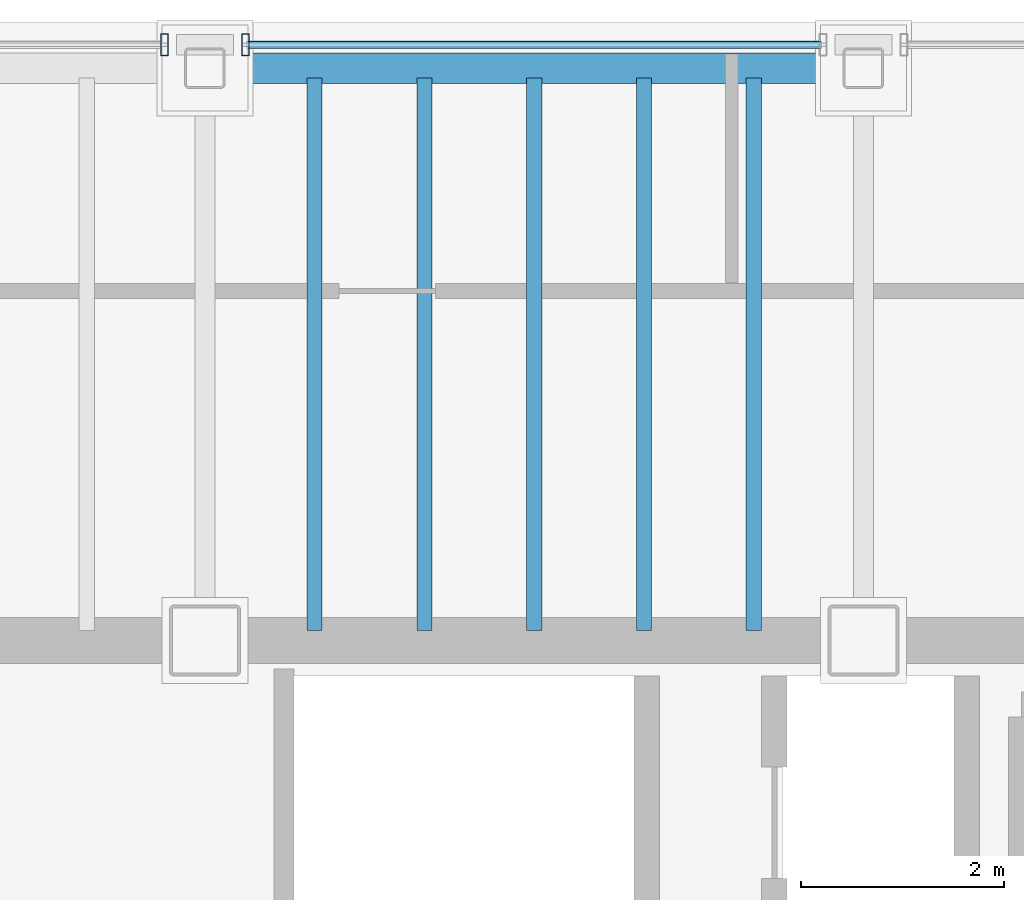
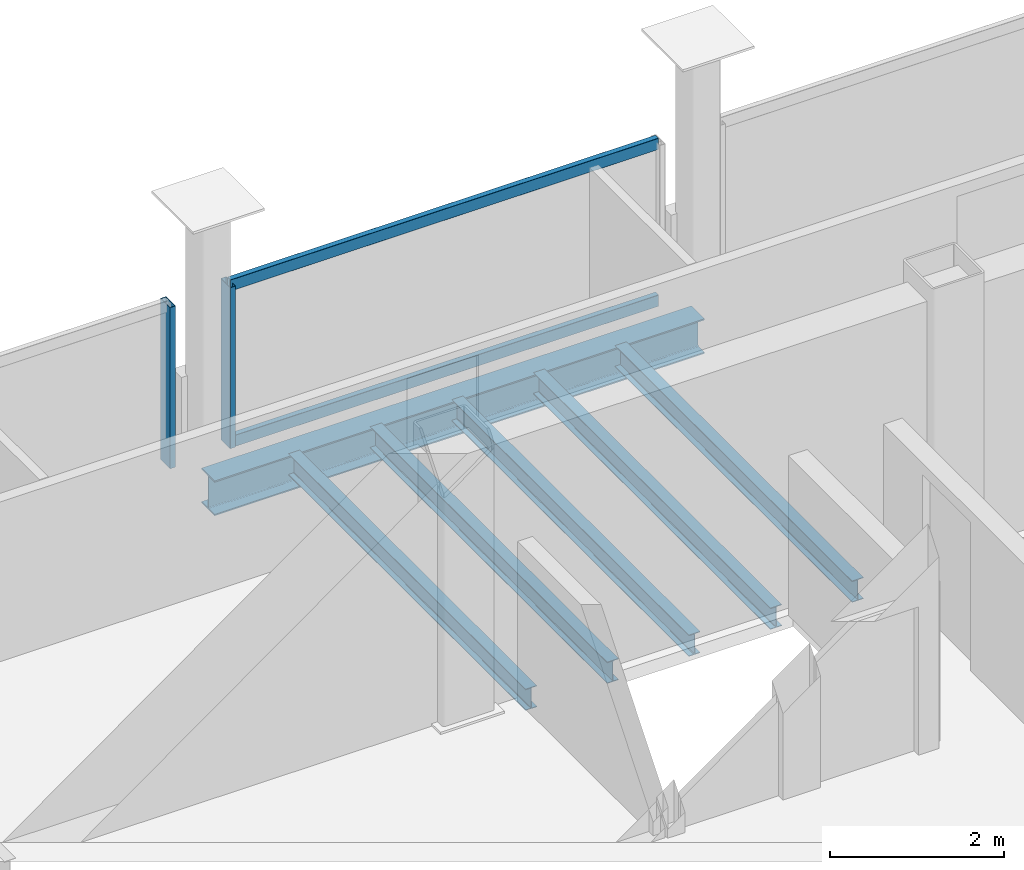
# One storey, part 9 of 16: 6 beams, 4 members, 2 elements without a shape of their own.
"""IFC4 building model written with IfcOpenShell, lengths in metres."""

from ifc_helpers import new_model, si_unit, direction, frame, origin, origin_2d, place, context, subcontext, project, spatial, hollow_rectangle, i_section, extrude, material, material_profile, profile_set, type_object, element, aggregate, save


model = new_model("IFC4")

# Units and contexts
model_context = context("Model", 3, precision=1e-05, world=origin(), true_north=direction((0.0, 1.0)))
body_context = subcontext(model_context, "Body", "Model", "MODEL_VIEW")
ifc_project = project(units=[si_unit("LENGTHUNIT", "METRE"), si_unit("AREAUNIT", "SQUARE_METRE"), si_unit("VOLUMEUNIT", "CUBIC_METRE"), si_unit("PLANEANGLEUNIT", "RADIAN"), si_unit("MASSUNIT", "GRAM", prefix="KILO")], contexts=[model_context])

# Site, building, storey
site_placement = place(None, origin())
site = spatial("IfcSite", under=ifc_project, at=site_placement, CompositionType="ELEMENT")
building_placement = place(site_placement, origin())
building = spatial("IfcBuilding", under=site, at=building_placement, Name="Noeulbin Bourse Tower", CompositionType="ELEMENT")
storey_placement = place(building_placement, frame((0.0, 0.0, 277.39990234375)))
storey = spatial("IfcBuildingStorey", under=building, at=storey_placement, Name="L69", CompositionType="ELEMENT", Elevation=277.39990234375)

# Beams
ifc_material_1 = material(Name="Steel S355", Category="steel")
ifc_material_profile_1 = material_profile(ifc_material_1, i_section(OverallWidth=0.14990234375, OverallDepth=0.300048828125, WebThickness=0.006591796875, FlangeThickness=0.009033203125, FilletRadius=0.012939453125, at=origin_2d()), Name="H-300x150x6.5x9", Category="LoadBearing")
ifc_profile_set_1 = profile_set([ifc_material_profile_1], Name="Steel S355")
beam_type_1 = type_object("IfcBeamType", Name="BM-JST-300", PredefinedType="JOIST", material=ifc_profile_set_1)
for number, where, z_axis, x_axis, name in (
    (1, (32.083251953125, 38.39990234375, -0.329833984375), (0.0, 1.0, 0.0), (-1.0, 0.0, 0.0), "Tower Composite Joist L69-28"),
    (2, (33.166748046875, 38.39990234375, -0.329833984375), (0.0, 1.0, 0.0), (-1.0, 0.0, 0.0), "Tower Composite Joist L69-30"),
    (3, (34.25, 38.39990234375, -0.329833984375), (0.0, 1.0, 0.0), (-1.0, 0.0, 0.0), "Tower Composite Joist L69-32"),
    (4, (35.333251953125, 38.39990234375, -0.329833984375), (0.0, 1.0, 0.0), (-1.0, 0.0, 0.0), "Tower Composite Joist L69-34"),
    (5, (36.416748046875, 38.39990234375, -0.329833984375), (0.0, 1.0, 0.0), (-1.0, 0.0, 0.0), "Tower Composite Joist L69-36"),
):
    element("IfcBeam", number, at=place(storey_placement, frame(where, z_axis=z_axis, x_axis=x_axis)), inside=storey, type_object=beam_type_1, Name=name, PredefinedType="JOIST", context=body_context, shape_type="SweptSolid", body=[
        extrude(i_section(OverallWidth=0.14990234375, OverallDepth=0.300048828125, WebThickness=0.006591796875, FlangeThickness=0.009033203125, FilletRadius=0.012939453125, at=origin_2d()), origin(), (0.0, 0.0, 1.0), 5.4501953125),
    ])
ifc_material_profile_2 = material_profile(ifc_material_1, i_section(OverallWidth=0.300048828125, OverallDepth=0.488037109375, WebThickness=0.010986328125, FlangeThickness=0.01806640625, FilletRadius=0.02197265625, at=origin_2d()), Name="H-488x300x11x18", Category="LoadBearing")
ifc_profile_set_2 = profile_set([ifc_material_profile_2], Name="Steel S355")
beam_type_2 = type_object("IfcBeamType", Name="BM-SPN-488", PredefinedType="SPANDREL", material=ifc_profile_set_2)
beam_placement = place(storey_placement, frame((31.0, 43.949951171875, -0.423828125), z_axis=(1.0, 0.0, 0.0), x_axis=(0.0, 1.0, 0.0)))
element("IfcBeam", 6, at=beam_placement, inside=storey, type_object=beam_type_2, Name="North Spandrel L69-3", PredefinedType="SPANDREL", context=body_context, shape_type="SweptSolid", body=[
    extrude(i_section(OverallWidth=0.300048828125, OverallDepth=0.488037109375, WebThickness=0.010986328125, FlangeThickness=0.01806640625, FilletRadius=0.02197265625, at=origin_2d()), origin(), (0.0, 0.0, 1.0), 6.5),
])

# Curtain wall, member
ifc_material_2 = material(Name="High-Selectivity Low-Iron Glazing", Category="glass")
curtain_wall_type = type_object("IfcCurtainWallType", Name="CW-SYS-4", PredefinedType="NOTDEFINED", material=ifc_material_2)
curtain_wall_1_placement = place(storey_placement, origin())
curtain_wall_1 = element("IfcCurtainWall", 7, at=curtain_wall_1_placement, inside=storey, type_object=curtain_wall_type, Name="Unitised Curtain Wall CW-L69-N-S3", PredefinedType="NOTDEFINED")
ifc_material_3 = material(Name="Anodised Aluminium 6063-T6", Category="aluminium")
ifc_material_profile_3 = material_profile(ifc_material_3, hollow_rectangle(XDim=0.074951171875, YDim=0.219970703125, WallThickness=0.0048828125, InnerFilletRadius=0.00244140625, OuterFilletRadius=0.0048828125, at=origin_2d()), Name="ALU-MULL-75x220x5", Category="LoadBearing")
ifc_profile_set_3 = profile_set([ifc_material_profile_3], Name="Anodised Aluminium 6063-T6")
member_type_1 = type_object("IfcMemberType", Name="CW-SYS-4-MUL", PredefinedType="MULLION", material=ifc_profile_set_3)
member_1_placement = place(storey_placement, frame((30.60009765625, 44.179931640625, -0.02001953125), z_axis=(0.0, 0.0, 1.0), x_axis=(1.0, 0.0, 0.0)))
member_1 = element("IfcMember", 8, at=member_1_placement, type_object=member_type_1, Name="Curtain Wall Mullion CW-L69-N-S3-M01", PredefinedType="MULLION", context=body_context, shape_type="SweptSolid", body=[
    extrude(hollow_rectangle(XDim=0.074951171875, YDim=0.219970703125, WallThickness=0.0048828125, InnerFilletRadius=0.00244140625, OuterFilletRadius=0.0048828125, at=origin_2d()), origin(), (0.0, 0.0, 1.0), 2.260009765625),
])
aggregate(curtain_wall_1, [member_1])

# Curtain wall, members
curtain_wall_2_placement = place(storey_placement, origin())
curtain_wall_2 = element("IfcCurtainWall", 9, at=curtain_wall_2_placement, inside=storey, type_object=curtain_wall_type, Name="Unitised Curtain Wall CW-L69-N-S4", PredefinedType="NOTDEFINED")
member_2_placement = place(storey_placement, frame((31.39990234375, 44.179931640625, -0.02001953125), z_axis=(0.0, 0.0, 1.0), x_axis=(1.0, 0.0, 0.0)))
member_2 = element("IfcMember", 10, at=member_2_placement, type_object=member_type_1, Name="Curtain Wall Mullion CW-L69-N-S4-M00", PredefinedType="MULLION", context=body_context, shape_type="SweptSolid", body=[
    extrude(hollow_rectangle(XDim=0.074951171875, YDim=0.219970703125, WallThickness=0.0048828125, InnerFilletRadius=0.00244140625, OuterFilletRadius=0.0048828125, at=origin_2d()), origin(), (0.0, 0.0, 1.0), 2.260009765625),
])
ifc_material_profile_4 = material_profile(ifc_material_3, hollow_rectangle(XDim=0.074951171875, YDim=0.159912109375, WallThickness=0.0048828125, InnerFilletRadius=0.00244140625, OuterFilletRadius=0.0048828125, at=origin_2d()), Name="ALU-TRAN-75x160x5", Category="LoadBearing")
ifc_profile_set_4 = profile_set([ifc_material_profile_4], Name="Anodised Aluminium 6063-T6")
member_type_2 = type_object("IfcMemberType", Name="CW-SYS-4-TRN", PredefinedType="USERDEFINED", material=ifc_profile_set_4)
member_3_placement = place(storey_placement, frame((31.409912109375, 44.179931640625, 0.010009765625), z_axis=(1.0, 0.0, 0.0), x_axis=(0.0, 1.0, 0.0)))
member_3 = element("IfcMember", 11, at=member_3_placement, type_object=member_type_2, Name="Curtain Wall Transom CW-L69-N-S4-T00", ObjectType="TRANSOM", PredefinedType="USERDEFINED", context=body_context, shape_type="SweptSolid", body=[
    extrude(hollow_rectangle(XDim=0.074951171875, YDim=0.159912109375, WallThickness=0.0048828125, InnerFilletRadius=0.00244140625, OuterFilletRadius=0.0048828125, at=origin_2d()), origin(), (0.0, 0.0, 1.0), 5.68017578125),
])
member_4_placement = place(storey_placement, frame((31.409912109375, 44.179931640625, 2.210205078125), z_axis=(1.0, 0.0, 0.0), x_axis=(0.0, 1.0, 0.0)))
member_4 = element("IfcMember", 12, at=member_4_placement, type_object=member_type_2, Name="Curtain Wall Transom CW-L69-N-S4-T01", ObjectType="TRANSOM", PredefinedType="USERDEFINED", context=body_context, shape_type="SweptSolid", body=[
    extrude(hollow_rectangle(XDim=0.074951171875, YDim=0.159912109375, WallThickness=0.0048828125, InnerFilletRadius=0.00244140625, OuterFilletRadius=0.0048828125, at=origin_2d()), origin(), (0.0, 0.0, 1.0), 5.68017578125),
])
aggregate(curtain_wall_2, [member_2, member_3, member_4])

save(model, "model.ifc")
